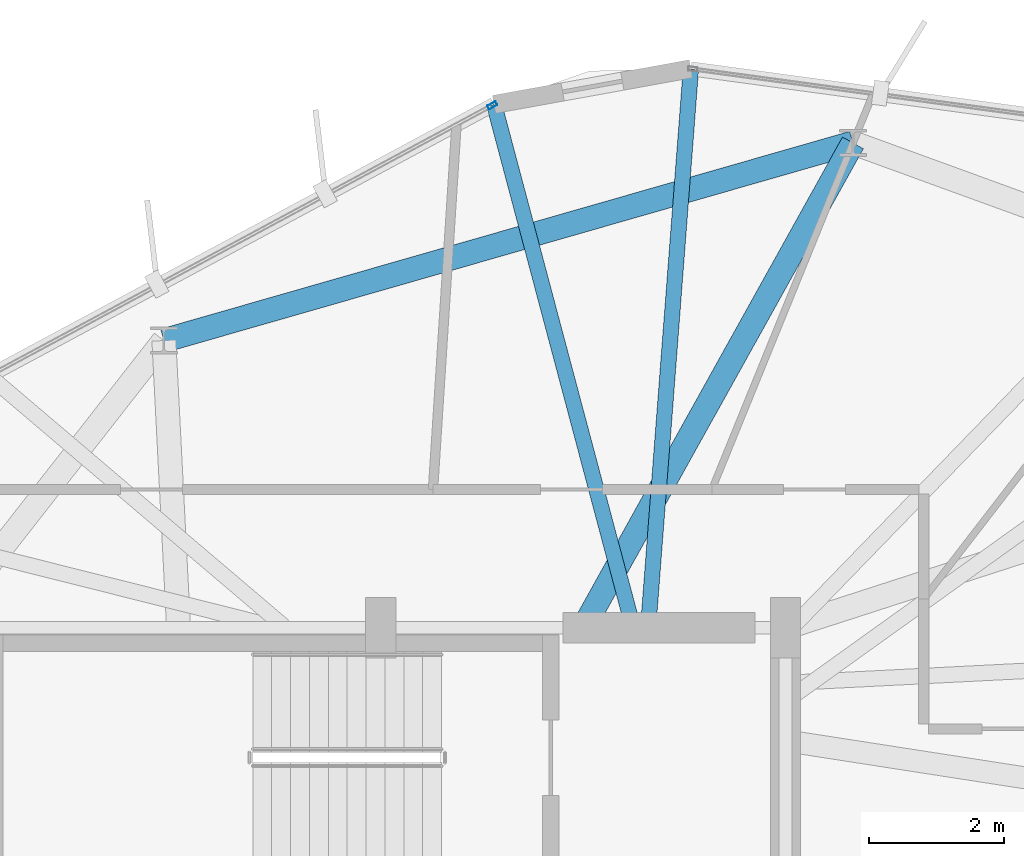
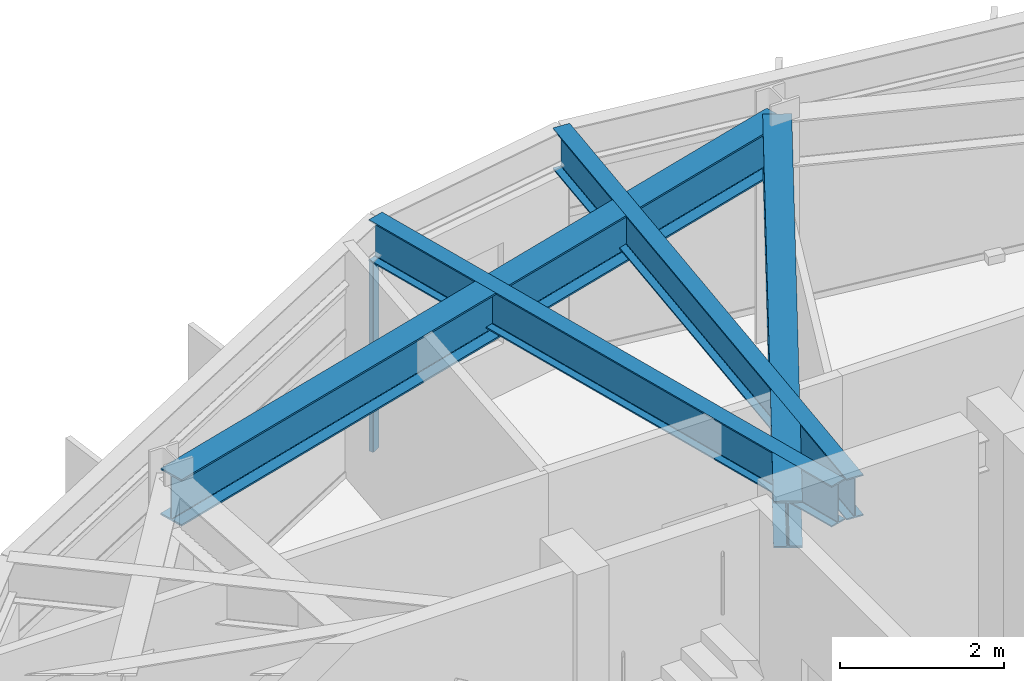
# One storey, part 17 of 26: 4 beams, 1 member, 1 element without a shape of its own.
"""IFC4 building model written with IfcOpenShell, lengths in metres."""

from ifc_helpers import new_model, si_unit, direction, frame, origin, origin_2d, place, context, subcontext, project, spatial, hollow_rectangle, i_section, extrude, material, layer, layer_set, material_profile, profile_set, type_object, element, aggregate, save


model = new_model("IFC4")

# Units and contexts
model_context = context("Model", 3, precision=1e-05, world=origin(), true_north=direction((0.0, 1.0)))
body_context = subcontext(model_context, "Body", "Model", "MODEL_VIEW")
ifc_project = project(units=[si_unit("LENGTHUNIT", "METRE"), si_unit("AREAUNIT", "SQUARE_METRE"), si_unit("VOLUMEUNIT", "CUBIC_METRE"), si_unit("PLANEANGLEUNIT", "RADIAN"), si_unit("MASSUNIT", "GRAM", prefix="KILO")], contexts=[model_context])

# Site, building, storey
site_placement = place(None, origin())
site = spatial("IfcSite", under=ifc_project, at=site_placement, CompositionType="ELEMENT")
building_placement = place(site_placement, origin())
building = spatial("IfcBuilding", under=site, at=building_placement, Name="Soratama Intermodal Tower", CompositionType="ELEMENT")
storey_placement = place(building_placement, frame((0.0, 0.0, 268.75)))
storey = spatial("IfcBuildingStorey", under=building, at=storey_placement, Name="L68", CompositionType="ELEMENT", Elevation=268.75)

# Beams
ifc_material_1 = material(Name="Structural steel ASTM A992 Grade 50", Category="steel")
ifc_material_profile_1 = material_profile(ifc_material_1, i_section(OverallWidth=0.35498046875, OverallDepth=0.695068359375, WebThickness=0.015380859375, FlangeThickness=0.02490234375, FilletRadius=0.01611328125, at=origin_2d()), Name="W27X146")
ifc_profile_set_1 = profile_set([ifc_material_profile_1], Name="Structural steel ASTM A992 Grade 50")
beam_type_1 = type_object("IfcBeamType", Name="BM-RING-W27X146", PredefinedType="BEAM", material=ifc_profile_set_1)
beam_1_placement = place(storey_placement, frame((45.60009765625, 42.18994140625, 3.1025390625), z_axis=(-0.961238292127, -0.275718961532, 0.0), x_axis=(0.275718961532, -0.961238292127, 0.0)))
element("IfcBeam", 1, at=beam_1_placement, inside=storey, type_object=beam_type_1, Name="BM-L68-RING-03", PredefinedType="BEAM", context=body_context, shape_type="SweptSolid", body=[
    extrude(i_section(OverallWidth=0.35498046875, OverallDepth=0.695068359375, WebThickness=0.015380859375, FlangeThickness=0.02490234375, FilletRadius=0.01611328125, at=origin_2d()), origin(), (0.0, 0.0, 1.0), 10.630126953125),
])
beam_2_placement = place(storey_placement, frame((41.60009765625, 35.0, 3.1025390625), z_axis=(0.486161842523, 0.873868790423, 0.0), x_axis=(-0.873868790423, 0.486161842523, 0.0)))
element("IfcBeam", 2, at=beam_2_placement, inside=storey, type_object=beam_type_1, Name="BM-L68-RAD-03", PredefinedType="BEAM", context=body_context, shape_type="SweptSolid", body=[
    extrude(i_section(OverallWidth=0.35498046875, OverallDepth=0.695068359375, WebThickness=0.015380859375, FlangeThickness=0.02490234375, FilletRadius=0.01611328125, at=origin_2d()), origin(), (0.0, 0.0, 1.0), 8.227783203125),
])
ifc_material_2 = material(Name="Structural steel ASTM A992 Grade 50", Category="steel")
ifc_material_profile_2 = material_profile(ifc_material_2, i_section(OverallWidth=0.22900390625, OverallDepth=0.612060546875, WebThickness=0.011962890625, FlangeThickness=0.01953125, FilletRadius=0.012939453125, at=origin_2d()), Name="W24X84")
ifc_profile_set_2 = profile_set([ifc_material_profile_2], Name="Structural steel ASTM A992 Grade 50")
beam_type_2 = type_object("IfcBeamType", Name="BM-TIE-W24X84", PredefinedType="BEAM", material=ifc_profile_set_2)
beam_3_placement = place(storey_placement, frame((42.56591796875, 35.0400390625, 3.14404296875), z_axis=(0.076283524947, 0.997086166699, 0.0), x_axis=(-0.997086166699, 0.076283524947, 0.0)))
element("IfcBeam", 3, at=beam_3_placement, inside=storey, type_object=beam_type_2, Name="BM-L68-TIE1-01", PredefinedType="BEAM", context=body_context, shape_type="SweptSolid", body=[
    extrude(i_section(OverallWidth=0.22900390625, OverallDepth=0.612060546875, WebThickness=0.011962890625, FlangeThickness=0.01953125, FilletRadius=0.012939453125, at=origin_2d()), origin(), (0.0, 0.0, 1.0), 8.273193359375),
])
beam_4_placement = place(storey_placement, frame((42.3310546875, 35.0390625, 3.14404296875), z_axis=(-0.256938003381, 0.966427887852, 0.0), x_axis=(-0.966427887852, -0.256938003381, 0.0)))
element("IfcBeam", 4, at=beam_4_placement, inside=storey, type_object=beam_type_2, Name="BM-L68-TIE0-02", PredefinedType="BEAM", context=body_context, shape_type="SweptSolid", body=[
    extrude(i_section(OverallWidth=0.22900390625, OverallDepth=0.612060546875, WebThickness=0.011962890625, FlangeThickness=0.01953125, FilletRadius=0.012939453125, at=origin_2d()), origin(), (0.0, 0.0, 1.0), 7.990234375),
])

# Curtain wall, member
ifc_material_3 = material(Name="Double-glazed aluminium curtain wall", Category="aluminium")
ifc_layer = layer(ifc_material_3, 0.159912109375)
ifc_layer_set = layer_set([ifc_layer], Name="Double-glazed aluminium curtain wall")
curtain_wall_type = type_object("IfcCurtainWallType", Name="CW-SYS-5", PredefinedType="NOTDEFINED", material=ifc_layer_set)
curtain_wall_placement = place(storey_placement, origin())
curtain_wall = element("IfcCurtainWall", 5, at=curtain_wall_placement, inside=storey, type_object=curtain_wall_type, Name="L68 Faceted Curtain Wall F02", PredefinedType="NOTDEFINED")
ifc_material_4 = material(Name="Anodised aluminium AA 6063-T6", Category="aluminium")
ifc_material_profile_3 = material_profile(ifc_material_4, hollow_rectangle(XDim=0.06494140625, YDim=0.139892578125, WallThickness=0.0048828125, InnerFilletRadius=0.0048828125, OuterFilletRadius=0.010009765625, at=origin_2d()), Name="CWM140X65X5")
ifc_profile_set_3 = profile_set([ifc_material_profile_3], Name="Anodised aluminium AA 6063-T6")
member_type = type_object("IfcMemberType", Name="MT-CWM-5", PredefinedType="MULLION", material=ifc_profile_set_3)
member_placement = place(storey_placement, frame((40.251220703125, 42.74658203125, 0.0), z_axis=(0.0, 0.0, 1.0), x_axis=(0.473470382738, -0.8808097392, 0.0)))
member = element("IfcMember", 6, at=member_placement, type_object=member_type, Name="CW-5 mullion 1", PredefinedType="MULLION", context=body_context, shape_type="SweptSolid", body=[
    extrude(hollow_rectangle(XDim=0.06494140625, YDim=0.139892578125, WallThickness=0.0048828125, InnerFilletRadius=0.0048828125, OuterFilletRadius=0.010009765625, at=origin_2d()), origin(), (0.0, 0.0, 1.0), 2.8291015625),
])
aggregate(curtain_wall, [member])

save(model, "model.ifc")
